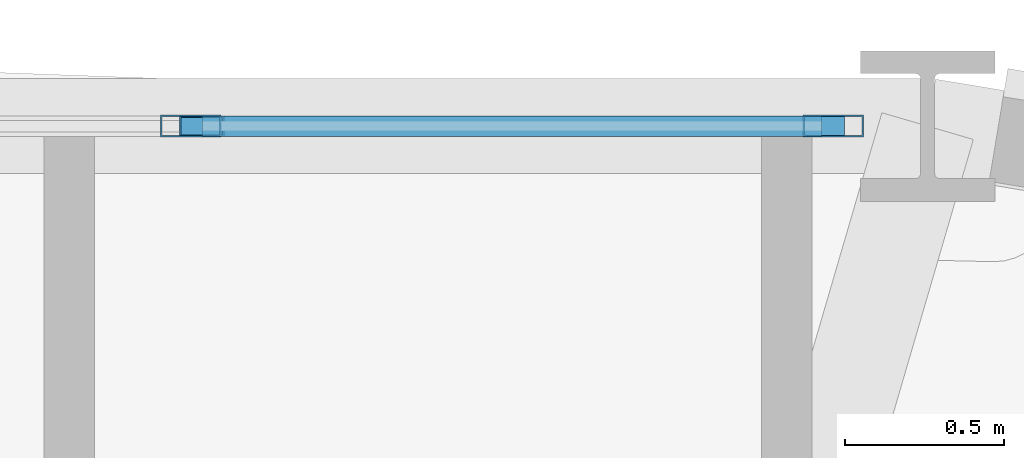
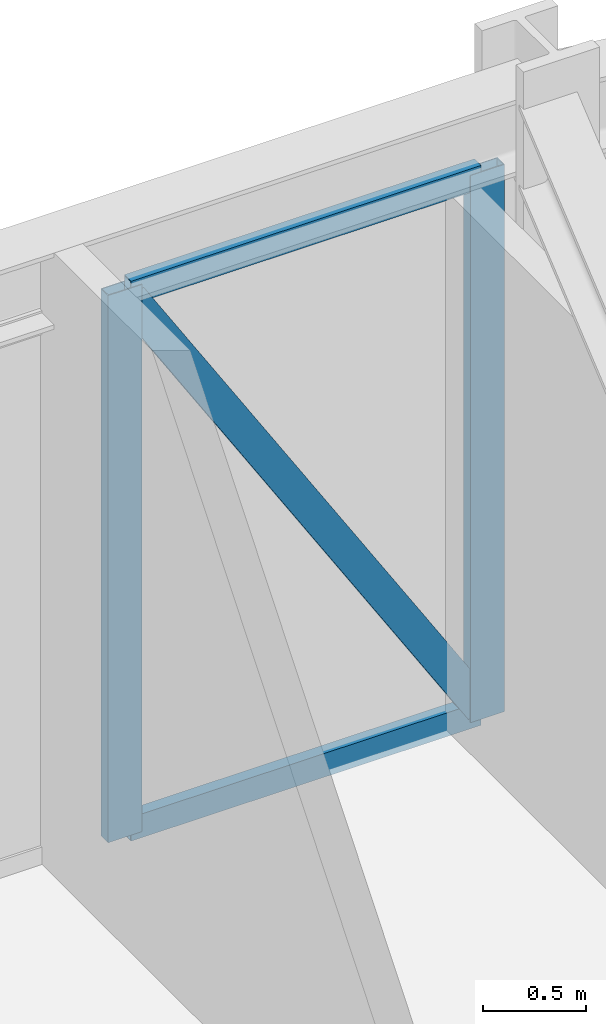
# One storey, part 12 of 20: 5 members, 1 element without a shape of its own.
"""IFC4 building model written with IfcOpenShell, lengths in metres."""

import ifcopenshell
import ifcopenshell.guid

model = None  # the IFC model being written
_history = None  # IfcOwnerHistory: only IFC2X3 demands one
_inside = {}  # id of a spatial element -> (the spatial element, [elements in it])
_under = {}  # id of a project, library or spatial element -> (it, [spatial elements below it])
_declared = {}  # id of a project -> (the project, [libraries it declares])
_typed = {}  # id of a type object -> (the type object, [elements of that type])
_made_of = {}  # id of a material, layer set ... -> (it, [elements and type objects made of it])


def new_model(schema):
    """Start an empty IFC model of exactly this schema.

    Asked for "IFC4X3", IfcOpenShell would pick the latest addendum, in which some entities
    have other attributes; the version numbers below select the first issue.
    IFC2X3 requires an IfcOwnerHistory on every rooted entity: one is made here for all.
    """
    global model, _history
    if schema == "IFC4X3":
        model = ifcopenshell.file(schema_version=(4, 3, 0, 0))
    else:
        model = ifcopenshell.file(schema=schema)
    _inside.clear()
    _under.clear()
    _declared.clear()
    _typed.clear()
    _made_of.clear()
    _history = None
    if model.schema == "IFC2X3":
        org = make("IfcOrganization", Name="unknown")
        user = make(
            "IfcPersonAndOrganization",
            ThePerson=make("IfcPerson", FamilyName="unknown"),
            TheOrganization=org,
        )
        app = make(
            "IfcApplication",
            ApplicationDeveloper=org,
            Version="unknown",
            ApplicationFullName="unknown",
            ApplicationIdentifier="unknown",
        )
        _history = make(
            "IfcOwnerHistory",
            OwningUser=user,
            OwningApplication=app,
            ChangeAction="ADDED",
            CreationDate=0,
        )
    return model


def make(cls, **values):
    """One entity of the class cls with the attributes given. An attribute that is None is left unset."""
    return model.create_entity(
        cls, **{name: value for name, value in values.items() if value is not None}
    )


def rooted(cls, **values):
    """An entity with a GlobalId (a new one), such as an element, a storey or a relation."""
    return make(cls, GlobalId=ifcopenshell.guid.new(), OwnerHistory=_history, **values)


def si_unit(unit_type, name, prefix=None):
    """IfcSIUnit, for example si_unit("LENGTHUNIT", "METRE", prefix="MILLI")."""
    return make("IfcSIUnit", UnitType=unit_type, Prefix=prefix, Name=name)


def derived_unit(unit_type, elements):
    """IfcDerivedUnit: a product of units, each with its exponent."""
    return make(
        "IfcDerivedUnit",
        Elements=[
            make("IfcDerivedUnitElement", Unit=unit, Exponent=power)
            for unit, power in elements
        ],
        UnitType=unit_type,
    )


def assignment(units):
    """IfcUnitAssignment: the units of a project."""
    return None if units is None else make("IfcUnitAssignment", Units=units)


def point(xyz):
    """IfcCartesianPoint."""
    return None if xyz is None else make("IfcCartesianPoint", Coordinates=xyz)


def direction(xyz):
    """IfcDirection."""
    return None if xyz is None else make("IfcDirection", DirectionRatios=xyz)


def frame(location, z_axis=None, x_axis=None):
    """IfcAxis2Placement3D, a coordinate frame: its origin and axes. An axis left out is left unset."""
    return make(
        "IfcAxis2Placement3D",
        Location=point(location),
        Axis=direction(z_axis),
        RefDirection=direction(x_axis),
    )


def frame_2d(location, x_axis=None):
    """IfcAxis2Placement2D, a coordinate frame in the plane: its origin and x axis."""
    return make(
        "IfcAxis2Placement2D", Location=point(location), RefDirection=direction(x_axis)
    )


def origin():
    """The frame at (0, 0, 0) with its axes left unset."""
    return frame((0.0, 0.0, 0.0))


def origin_2d():
    """The frame at (0, 0) in the plane with its x axis left unset."""
    return frame_2d((0.0, 0.0))


def place(relative_to, where):
    """IfcLocalPlacement: puts the frame where relative to a parent placement (None: the world)."""
    return make(
        "IfcLocalPlacement", PlacementRelTo=relative_to, RelativePlacement=where
    )


def context(
    kind, dimensions, precision=None, world=None, true_north=None, identifier=None
):
    """IfcGeometricRepresentationContext, for example the 3D "Model" context."""
    return make(
        "IfcGeometricRepresentationContext",
        ContextIdentifier=identifier,
        ContextType=kind,
        CoordinateSpaceDimension=dimensions,
        Precision=precision,
        WorldCoordinateSystem=world,
        TrueNorth=true_north,
    )


def subcontext(parent, identifier, kind, view, scale=None):
    """IfcGeometricRepresentationSubContext, for example "Body" below "Model"."""
    return make(
        "IfcGeometricRepresentationSubContext",
        ContextIdentifier=identifier,
        ContextType=kind,
        ParentContext=parent,
        TargetScale=scale,
        TargetView=view,
    )


def project(units=None, contexts=None):
    """IfcProject with its units and contexts."""
    return rooted(
        "IfcProject",
        Name="project",
        RepresentationContexts=contexts,
        UnitsInContext=assignment(units),
    )


def spatial(cls, under=None, at=None, **own):
    """A site, building, storey or space (cls), placed at a placement, below another one or the project."""
    s = rooted(cls, ObjectPlacement=at, **own)
    if under is not None:
        _under.setdefault(under.id(), (under, []))[1].append(s)
    return s


def profile(cls, at=None, kind="AREA", **sizes):
    """A parametric profile (cls). Its sizes go by their IFC names, for example OverallWidth=200.0."""
    return make(cls, ProfileType=kind, Position=at, **sizes)


def hollow_rectangle(**sizes):
    """IfcRectangleHollowProfileDef."""
    return profile("IfcRectangleHollowProfileDef", **sizes)


def extrude(swept, where, along, depth):
    """IfcExtrudedAreaSolid: the profile swept, set in the frame where, extruded along a direction by depth."""
    return make(
        "IfcExtrudedAreaSolid",
        SweptArea=swept,
        Position=where,
        ExtrudedDirection=direction(along),
        Depth=depth,
    )


def shape(context_of_items, identifier, shape_type, items):
    """IfcShapeRepresentation: the items that make up one representation, for example the "Body"."""
    return make(
        "IfcShapeRepresentation",
        ContextOfItems=context_of_items,
        RepresentationIdentifier=identifier,
        RepresentationType=shape_type,
        Items=items,
    )


def source(mapping_origin, context_of_items, identifier, shape_type, items):
    """IfcRepresentationMap: a shape defined once, which mapped items show again and again."""
    return make(
        "IfcRepresentationMap",
        MappingOrigin=mapping_origin,
        MappedRepresentation=shape(context_of_items, identifier, shape_type, items),
    )


def transform(
    local_origin,
    x_axis=None,
    y_axis=None,
    z_axis=None,
    scale=None,
    scale2=None,
    scale3=None,
    uniform=True,
):
    """IfcCartesianTransformationOperator3D, or its non-uniform kind. x_axis, y_axis, z_axis: its Axis1, 2, 3."""
    if uniform:
        return make(
            "IfcCartesianTransformationOperator3D",
            Axis1=direction(x_axis),
            Axis2=direction(y_axis),
            LocalOrigin=point(local_origin),
            Scale=scale,
            Axis3=direction(z_axis),
        )
    return make(
        "IfcCartesianTransformationOperator3DnonUniform",
        Axis1=direction(x_axis),
        Axis2=direction(y_axis),
        LocalOrigin=point(local_origin),
        Scale=scale,
        Axis3=direction(z_axis),
        Scale2=scale2,
        Scale3=scale3,
    )


def mapped(mapping_source, mapping_target):
    """IfcMappedItem: shows the shape of a source again, moved by a transform."""
    return make(
        "IfcMappedItem", MappingSource=mapping_source, MappingTarget=mapping_target
    )


def material(Name=None, Category=None):
    """IfcMaterial."""
    return make("IfcMaterial", Name=Name, Category=Category)


def layer(
    of_material, thickness, ventilated=None, Name=None, Category=None, Priority=None
):
    """IfcMaterialLayer: one layer of a wall or slab, of a material (None: an air gap)."""
    return make(
        "IfcMaterialLayer",
        Material=of_material,
        LayerThickness=thickness,
        IsVentilated=ventilated,
        Name=Name,
        Category=Category,
        Priority=Priority,
    )


def layer_set(layers, Name=None):
    """IfcMaterialLayerSet."""
    return make("IfcMaterialLayerSet", MaterialLayers=layers, LayerSetName=Name)


def material_profile(
    of_material, cross_section, Name=None, Category=None, Priority=None
):
    """IfcMaterialProfile: a cross section and its material."""
    return make(
        "IfcMaterialProfile",
        Name=Name,
        Material=of_material,
        Profile=cross_section,
        Priority=Priority,
        Category=Category,
    )


def profile_set(profiles, Name=None, composite=None):
    """IfcMaterialProfileSet."""
    return make(
        "IfcMaterialProfileSet",
        Name=Name,
        MaterialProfiles=profiles,
        CompositeProfile=composite,
    )


def made_of(thing, what):
    """Note that an element or type object is made of a material, layer set ...; save() writes the relation."""
    if what is not None:
        _made_of.setdefault(what.id(), (what, []))[1].append(thing)
    return thing


def type_object(cls, material=None, **own):
    """A type object (cls), such as IfcWallType, which elements share."""
    return made_of(rooted(cls, **own), material)


def element(
    cls,
    number,
    at=None,
    inside=None,
    cuts=None,
    type_object=None,
    material=None,
    context=None,
    identifier="Body",
    shape_type=None,
    held_by="IfcProductDefinitionShape",
    body=None,
    shapes=None,
    **own,
):
    """One element of the class cls, such as IfcWall. Its Tag is "e" and its number.

    at: its placement. inside: the storey or other place that contains it. cuts: it is an
    opening in that element (IfcRelVoidsElement). A single representation is given by context,
    identifier, shape_type and body (its items); several are given by shapes. held_by: the class
    of the entity that holds the representations. save() writes the other relations.
    """
    e = rooted(cls, Tag="e%d" % number, ObjectPlacement=at, **own)
    if body is not None:
        shapes = [shape(context, identifier, shape_type, body)]
    if shapes is not None:
        e.Representation = make(held_by, Representations=shapes)
    if inside is not None:
        _inside.setdefault(inside.id(), (inside, []))[1].append(e)
    if cuts is not None:
        rooted(
            "IfcRelVoidsElement", RelatingBuildingElement=cuts, RelatedOpeningElement=e
        )
    if type_object is not None:
        _typed.setdefault(type_object.id(), (type_object, []))[1].append(e)
    return made_of(e, material)


def aggregate(whole, parts):
    """IfcRelAggregates: a whole, such as a stair, and the parts it consists of."""
    return rooted("IfcRelAggregates", RelatingObject=whole, RelatedObjects=parts)


def save(model, path):
    """Write the relations noted so far, then the file.

    IfcRelAggregates (storeys below a building ...), IfcRelContainedInSpatialStructure (elements
    in a storey), IfcRelDefinesByType, IfcRelAssociatesMaterial and IfcRelDeclares: one each for
    every whole, place, type object, material and project.
    """
    for whole, parts in _under.values():
        aggregate(whole, parts)
    for where, things in _inside.values():
        rooted(
            "IfcRelContainedInSpatialStructure",
            RelatedElements=things,
            RelatingStructure=where,
        )
    for kind, things in _typed.values():
        rooted("IfcRelDefinesByType", RelatedObjects=things, RelatingType=kind)
    for what, things in _made_of.values():
        rooted("IfcRelAssociatesMaterial", RelatedObjects=things, RelatingMaterial=what)
    for by, libraries in _declared.values():
        rooted("IfcRelDeclares", RelatingContext=by, RelatedDefinitions=libraries)
    model.write(path)


model = new_model("IFC4")

# Units and contexts
model_context = context("Model", 3, precision=1e-05, world=origin(), true_north=direction((0.0, 1.0)))
body_context = subcontext(model_context, "Body", "Model", "MODEL_VIEW")
ifc_project = project(units=[si_unit("LENGTHUNIT", "METRE"), si_unit("AREAUNIT", "SQUARE_METRE"), si_unit("VOLUMEUNIT", "CUBIC_METRE"), si_unit("PLANEANGLEUNIT", "RADIAN"), si_unit("MASSUNIT", "GRAM", prefix="KILO"), derived_unit("THERMALTRANSMITTANCEUNIT", [(si_unit("POWERUNIT", "WATT"), 1), (si_unit("LENGTHUNIT", "METRE"), -2), (si_unit("THERMODYNAMICTEMPERATUREUNIT", "KELVIN"), -1)])], contexts=[model_context])

# Site, building, storey
site_placement = place(None, origin())
site = spatial("IfcSite", under=ifc_project, at=site_placement, CompositionType="ELEMENT")
building_placement = place(site_placement, origin())
building = spatial("IfcBuilding", under=site, at=building_placement, Name="Korsvarv Bourse and Concert Hall", CompositionType="ELEMENT")
storey_placement = place(building_placement, frame((0.0, 0.0, 79.5)))
storey = spatial("IfcBuildingStorey", under=building, at=storey_placement, Name="L19", CompositionType="ELEMENT", Elevation=79.5)

# Curtain wall, members
ifc_material_1 = material(Name="Anodised aluminium and triple low-E glazing", Category="glass")
ifc_layer = layer(ifc_material_1, 0.219970703125)
ifc_layer_set = layer_set([ifc_layer], Name="Anodised aluminium and triple low-E glazing")
curtain_wall_type = type_object("IfcCurtainWallType", Name="CW-SYS-1", PredefinedType="NOTDEFINED", material=ifc_layer_set)
curtain_wall_placement = place(storey_placement, origin())
curtain_wall = element("IfcCurtainWall", 1, at=curtain_wall_placement, inside=storey, type_object=curtain_wall_type, Name="L19 CW1 curtain wall CW-L19-F03", PredefinedType="NOTDEFINED")
ifc_material_2 = material(Name="Extruded aluminium EN AW-6063 T66", Category="aluminium")
ifc_material_profile_1 = material_profile(ifc_material_2, hollow_rectangle(XDim=0.070068359375, YDim=0.18994140625, WallThickness=0.0048828125, at=origin_2d()), Name="ALU-M 70x190")
ifc_profile_set_1 = profile_set([ifc_material_profile_1], Name="Extruded aluminium EN AW-6063 T66")
member_type_1 = type_object("IfcMemberType", Name="CWM-190", PredefinedType="MULLION", material=ifc_profile_set_1)
shared_shape_1 = source(origin(), body_context, "Body", "SweptSolid", [
    extrude(hollow_rectangle(XDim=0.070068359375, YDim=0.18994140625, WallThickness=0.0048828125, at=origin_2d()), origin(), (0.0, 0.0, 1.0), 3.22998046875),
])
member_1_placement = place(storey_placement, frame((47.37158203125, 55.86767578125, 0.0), z_axis=(0.0, 0.0, 1.0), x_axis=(0.0, -1.0, 0.0)))
member_1 = element("IfcMember", 2, at=member_1_placement, type_object=member_type_1, Name="CW1 mullion 1", PredefinedType="MULLION", context=body_context, shape_type="MappedRepresentation", body=[
    mapped(shared_shape_1, transform((0.0, 0.0, 0.0), scale=1.0)),
])
member_2_placement = place(storey_placement, frame((45.34765625, 55.86767578125, 0.0), z_axis=(0.0, 0.0, 1.0), x_axis=(0.0, -1.0, 0.0)))
member_2 = element("IfcMember", 3, at=member_2_placement, type_object=member_type_1, Name="CW1 mullion 2", PredefinedType="MULLION", context=body_context, shape_type="MappedRepresentation", body=[
    mapped(shared_shape_1, transform((0.0, 0.0, 0.0), scale=1.0)),
])
ifc_material_profile_2 = material_profile(ifc_material_2, hollow_rectangle(XDim=0.06494140625, YDim=0.139892578125, WallThickness=0.00390625, at=origin_2d()), Name="ALU-T 65x140")
ifc_profile_set_2 = profile_set([ifc_material_profile_2], Name="Extruded aluminium EN AW-6063 T66")
member_type_2 = type_object("IfcMemberType", Name="CWT-140", PredefinedType="USERDEFINED", material=ifc_profile_set_2)
shared_shape_2 = source(origin(), body_context, "Body", "SweptSolid", [
    extrude(hollow_rectangle(XDim=0.06494140625, YDim=0.139892578125, WallThickness=0.00390625, at=origin_2d()), origin(), (0.0, 0.0, 1.0), 1.9541015625),
])
member_3_placement = place(storey_placement, frame((47.336669921875, 55.86767578125, 0.032470703125), z_axis=(-1.0, 0.0, 0.0), x_axis=(0.0, -1.0, 0.0)))
member_3 = element("IfcMember", 4, at=member_3_placement, type_object=member_type_2, Name="CW1 transom 1.1", ObjectType="TRANSOM", PredefinedType="USERDEFINED", context=body_context, shape_type="MappedRepresentation", body=[
    mapped(shared_shape_2, transform((0.0, 0.0, 0.0), scale=1.0)),
])
member_4_placement = place(storey_placement, frame((47.336669921875, 55.86767578125, 3.197509765625), z_axis=(-1.0, 0.0, 0.0), x_axis=(0.0, -1.0, 0.0)))
member_4 = element("IfcMember", 5, at=member_4_placement, type_object=member_type_2, Name="CW1 transom 1.2", ObjectType="TRANSOM", PredefinedType="USERDEFINED", context=body_context, shape_type="MappedRepresentation", body=[
    mapped(shared_shape_2, transform((0.0, 0.0, 0.0), scale=1.0)),
])
ifc_material_profile_3 = material_profile(ifc_material_2, hollow_rectangle(XDim=0.06494140625, YDim=0.1650390625, WallThickness=0.0048828125, at=origin_2d()), Name="ALU-M 65x165")
ifc_profile_set_3 = profile_set([ifc_material_profile_3], Name="Extruded aluminium EN AW-6063 T66")
member_type_3 = type_object("IfcMemberType", Name="CWM-165", PredefinedType="MULLION", material=ifc_profile_set_3)
shared_shape_3 = source(origin(), body_context, "Body", "SweptSolid", [
    extrude(hollow_rectangle(XDim=0.06494140625, YDim=0.1650390625, WallThickness=0.0048828125, at=origin_2d()), origin(), (0.0, 0.0, 1.0), 3.66455078125),
])
member_5_placement = place(storey_placement, frame((47.336669921875, 55.86767578125, 0.06494140625), z_axis=(-0.533240811465, 0.0, 0.84596349625), x_axis=(0.0, -1.0, 0.0)))
member_5 = element("IfcMember", 6, at=member_5_placement, type_object=member_type_3, Name="CW1 diagonal mullion 1", PredefinedType="MULLION", context=body_context, shape_type="MappedRepresentation", body=[
    mapped(shared_shape_3, transform((0.0, 0.0, 0.0), scale=1.0)),
])
aggregate(curtain_wall, [member_1, member_2, member_3, member_4, member_5])

save(model, "model.ifc")
